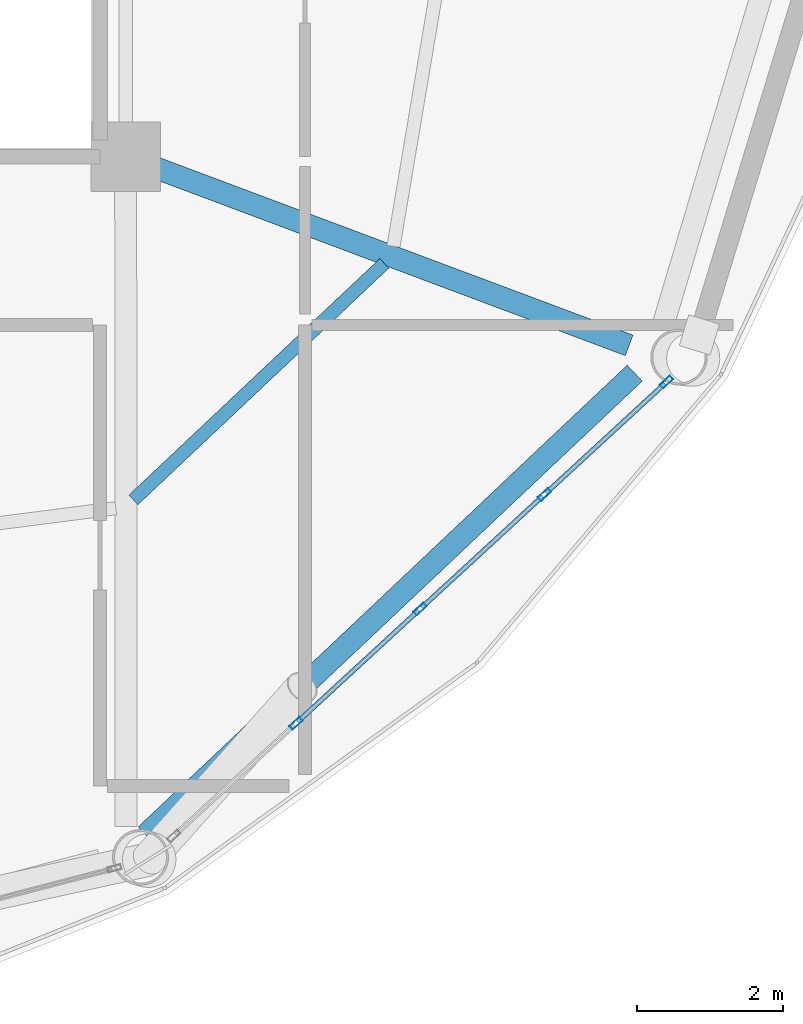
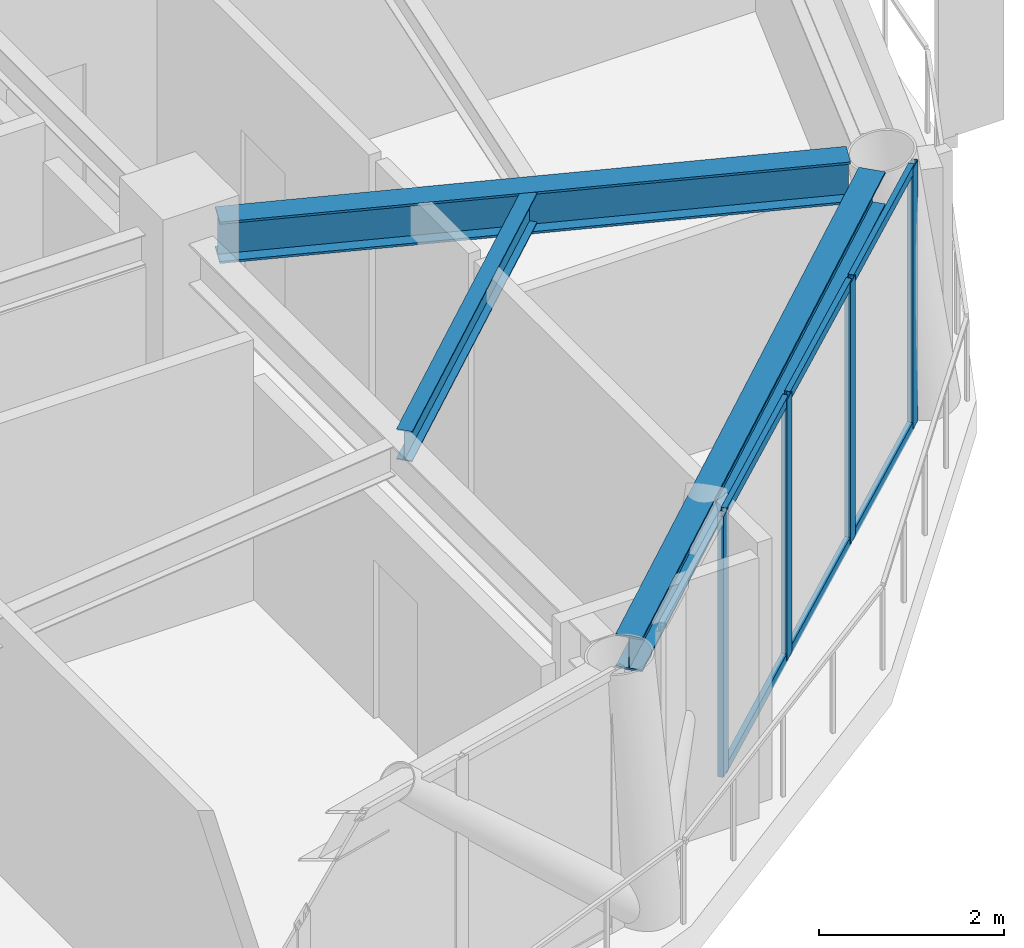
# One storey, part 14 of 26: 10 members, 3 beams, 1 element without a shape of its own.
"""IFC4 building model written with IfcOpenShell, lengths in metres."""

from ifc_helpers import new_model, si_unit, direction, frame, origin, origin_2d, place, context, subcontext, project, spatial, hollow_rectangle, i_section, extrude, material, layer, layer_set, material_profile, profile_set, type_object, element, aggregate, save


model = new_model("IFC4")

# Units and contexts
model_context = context("Model", 3, precision=1e-05, world=origin(), true_north=direction((0.0, 1.0)))
body_context = subcontext(model_context, "Body", "Model", "MODEL_VIEW")
ifc_project = project(units=[si_unit("LENGTHUNIT", "METRE"), si_unit("AREAUNIT", "SQUARE_METRE"), si_unit("VOLUMEUNIT", "CUBIC_METRE"), si_unit("PLANEANGLEUNIT", "RADIAN"), si_unit("MASSUNIT", "GRAM", prefix="KILO")], contexts=[model_context])

# Site, building, storey
site_placement = place(None, origin())
site = spatial("IfcSite", under=ifc_project, at=site_placement, CompositionType="ELEMENT")
building_placement = place(site_placement, origin())
building = spatial("IfcBuilding", under=site, at=building_placement, Name="Varnakorn Sky Granary", CompositionType="ELEMENT")
storey_placement = place(building_placement, frame((0.0, 0.0, 169.5)))
storey = spatial("IfcBuildingStorey", under=building, at=storey_placement, Name="L42", CompositionType="ELEMENT", Elevation=169.5)

# Beams
ifc_material_1 = material(Name="Steel S355JR", Category="steel")
ifc_material_profile_1 = material_profile(ifc_material_1, i_section(OverallWidth=0.300048828125, OverallDepth=0.550048828125, WebThickness=0.014892578125, FlangeThickness=0.029052734375, at=origin_2d()), Name="HE 550 B")
ifc_profile_set_1 = profile_set([ifc_material_profile_1], Name="Steel S355JR")
beam_type_1 = type_object("IfcBeamType", Name="BM-RAD-Z3", PredefinedType="BEAM", material=ifc_profile_set_1)
beam_1_placement = place(storey_placement, frame((8.743408203125, -6.747314453125, 3.175048828125), z_axis=(0.936385643177, -0.350972829791, 0.0), x_axis=(0.350972829791, 0.936385643177, 0.0)))
element("IfcBeam", 1, at=beam_1_placement, inside=storey, type_object=beam_type_1, Name="Radial Floor Girder RG12 L42", PredefinedType="BEAM", context=body_context, shape_type="SweptSolid", body=[
    extrude(i_section(OverallWidth=0.300048828125, OverallDepth=0.550048828125, WebThickness=0.014892578125, FlangeThickness=0.029052734375, at=origin_2d()), origin(), (0.0, 0.0, 1.0), 6.92822265625),
])
ifc_material_profile_2 = material_profile(ifc_material_1, i_section(OverallWidth=0.179931640625, OverallDepth=0.39990234375, WebThickness=0.008544921875, FlangeThickness=0.013427734375, at=origin_2d()), Name="IPE 400")
ifc_profile_set_2 = profile_set([ifc_material_profile_2], Name="Steel S355JR")
beam_type_2 = type_object("IfcBeamType", Name="BM-SEC-Z3", PredefinedType="BEAM", material=ifc_profile_set_2)
beam_2_placement = place(storey_placement, frame((8.45556640625, -11.29150390625, 3.25), z_axis=(0.727725323805, 0.685868685021, 0.0), x_axis=(-0.685868685021, 0.727725323805, 0.0)))
element("IfcBeam", 2, at=beam_2_placement, inside=storey, type_object=beam_type_2, Name="Secondary Floor Chord Beam MSB11 L42", PredefinedType="BEAM", context=body_context, shape_type="SweptSolid", body=[
    extrude(i_section(OverallWidth=0.179931640625, OverallDepth=0.39990234375, WebThickness=0.008544921875, FlangeThickness=0.013427734375, at=origin_2d()), origin(), (0.0, 0.0, 1.0), 4.712890625),
])
ifc_material_profile_3 = material_profile(ifc_material_1, i_section(OverallWidth=0.300048828125, OverallDepth=0.449951171875, WebThickness=0.013916015625, FlangeThickness=0.02587890625, at=origin_2d()), Name="HE 450 B")
ifc_profile_set_3 = profile_set([ifc_material_profile_3], Name="Steel S355JR")
beam_type_3 = type_object("IfcBeamType", Name="BM-SPD-Z3", PredefinedType="SPANDREL", material=ifc_profile_set_3)
beam_3_placement = place(storey_placement, frame((8.62353515625, -15.869873046875, 3.22509765625), z_axis=(0.727105947404, 0.686525266287, 0.0), x_axis=(-0.686525266287, 0.727105947404, 0.0)))
element("IfcBeam", 3, at=beam_3_placement, inside=storey, type_object=beam_type_3, Name="Perimeter Spandrel Ring Beam RB11 L42", PredefinedType="SPANDREL", context=body_context, shape_type="SweptSolid", body=[
    extrude(i_section(OverallWidth=0.300048828125, OverallDepth=0.449951171875, WebThickness=0.013916015625, FlangeThickness=0.02587890625, at=origin_2d()), origin(), (0.0, 0.0, 1.0), 9.192626953125),
])

# Curtain wall, members
ifc_material_2 = material(Name="Anodised Bronze Aluminium Alloy 6063-T6", Category="aluminium")
ifc_layer = layer(ifc_material_2, 0.179931640625, Name="Anodised Bronze Aluminium Alloy 6063-T6")
ifc_layer_set = layer_set([ifc_layer], Name="Anodised Bronze Aluminium Alloy 6063-T6")
curtain_wall_type = type_object("IfcCurtainWallType", Name="CW-FRM-2", PredefinedType="USERDEFINED", material=ifc_layer_set)
curtain_wall_placement = place(storey_placement, origin())
curtain_wall = element("IfcCurtainWall", 4, at=curtain_wall_placement, inside=storey, type_object=curtain_wall_type, Name="Unitised Curtain Wall CW4 CW-L42-B11", ObjectType="CURTAIN WALL", PredefinedType="USERDEFINED")
ifc_material_profile_4 = material_profile(ifc_material_2, hollow_rectangle(XDim=0.070068359375, YDim=0.18505859375, WallThickness=0.00390625, at=origin_2d()), Name="ALU MULL 70x185")
ifc_profile_set_4 = profile_set([ifc_material_profile_4], Name="Anodised Bronze Aluminium Alloy 6063-T6")
member_type_1 = type_object("IfcMemberType", Name="CW-FRM-2-MULL", PredefinedType="MULLION", material=ifc_profile_set_4)
member_1_placement = place(storey_placement, frame((15.7431640625, -9.679931640625, 0.0), z_axis=(0.0, 0.0, 1.0), x_axis=(0.677547955322, -0.735478598084, 0.0)))
member_1 = element("IfcMember", 5, at=member_1_placement, type_object=member_type_1, Name="CW4 mullion 1", PredefinedType="MULLION", context=body_context, shape_type="SweptSolid", body=[
    extrude(hollow_rectangle(XDim=0.070068359375, YDim=0.18505859375, WallThickness=0.00390625, at=origin_2d()), origin(), (0.0, 0.0, 1.0), 3.449951171875),
])
member_2_placement = place(storey_placement, frame((14.072265625, -11.219482421875, 0.0), z_axis=(0.0, 0.0, 1.0), x_axis=(0.677547955322, -0.735478598084, 0.0)))
member_2 = element("IfcMember", 6, at=member_2_placement, type_object=member_type_1, Name="CW4 mullion 2", PredefinedType="MULLION", context=body_context, shape_type="SweptSolid", body=[
    extrude(hollow_rectangle(XDim=0.070068359375, YDim=0.18505859375, WallThickness=0.00390625, at=origin_2d()), origin(), (0.0, 0.0, 1.0), 3.449951171875),
])
member_3_placement = place(storey_placement, frame((12.37548828125, -12.78271484375, 0.0), z_axis=(0.0, 0.0, 1.0), x_axis=(0.677547955322, -0.735478598084, 0.0)))
member_3 = element("IfcMember", 7, at=member_3_placement, type_object=member_type_1, Name="CW4 mullion 3", PredefinedType="MULLION", context=body_context, shape_type="SweptSolid", body=[
    extrude(hollow_rectangle(XDim=0.070068359375, YDim=0.18505859375, WallThickness=0.00390625, at=origin_2d()), origin(), (0.0, 0.0, 1.0), 3.449951171875),
])
member_4_placement = place(storey_placement, frame((10.6787109375, -14.345703125, 0.0), z_axis=(0.0, 0.0, 1.0), x_axis=(0.677547955322, -0.735478598084, 0.0)))
member_4 = element("IfcMember", 8, at=member_4_placement, type_object=member_type_1, Name="CW4 mullion 4", PredefinedType="MULLION", context=body_context, shape_type="SweptSolid", body=[
    extrude(hollow_rectangle(XDim=0.070068359375, YDim=0.18505859375, WallThickness=0.00390625, at=origin_2d()), origin(), (0.0, 0.0, 1.0), 3.449951171875),
])
ifc_material_profile_5 = material_profile(ifc_material_2, hollow_rectangle(XDim=0.06494140625, YDim=0.1201171875, WallThickness=0.00341796875, at=origin_2d()), Name="ALU TRAN 65x120")
ifc_profile_set_5 = profile_set([ifc_material_profile_5], Name="Anodised Bronze Aluminium Alloy 6063-T6")
member_type_2 = type_object("IfcMemberType", Name="CW-FRM-2-TRAN", PredefinedType="USERDEFINED", material=ifc_profile_set_5)
member_5_placement = place(storey_placement, frame((15.717529296875, -9.70361328125, 0.032470703125), z_axis=(-0.735449148752, -0.67757992119, 0.0), x_axis=(0.67757992119, -0.735449148752, 0.0)))
member_5 = element("IfcMember", 9, at=member_5_placement, type_object=member_type_2, Name="CW4 transom 1.1", ObjectType="TRANSOM", PredefinedType="USERDEFINED", context=body_context, shape_type="SweptSolid", body=[
    extrude(hollow_rectangle(XDim=0.06494140625, YDim=0.1201171875, WallThickness=0.00341796875, at=origin_2d()), origin(), (0.0, 0.0, 1.0), 2.2021484375),
])
member_6_placement = place(storey_placement, frame((15.717529296875, -9.70361328125, 3.41748046875), z_axis=(-0.735449148752, -0.67757992119, 0.0), x_axis=(0.67757992119, -0.735449148752, 0.0)))
member_6 = element("IfcMember", 10, at=member_6_placement, type_object=member_type_2, Name="CW4 transom 1.2", ObjectType="TRANSOM", PredefinedType="USERDEFINED", context=body_context, shape_type="SweptSolid", body=[
    extrude(hollow_rectangle(XDim=0.06494140625, YDim=0.1201171875, WallThickness=0.00341796875, at=origin_2d()), origin(), (0.0, 0.0, 1.0), 2.2021484375),
])
member_7_placement = place(storey_placement, frame((14.04638671875, -11.2431640625, 0.032470703125), z_axis=(-0.735489285858, -0.677536353555, 0.0), x_axis=(0.677536353555, -0.735489285858, 0.0)))
member_7 = element("IfcMember", 11, at=member_7_placement, type_object=member_type_2, Name="CW4 transom 2.1", ObjectType="TRANSOM", PredefinedType="USERDEFINED", context=body_context, shape_type="SweptSolid", body=[
    extrude(hollow_rectangle(XDim=0.06494140625, YDim=0.1201171875, WallThickness=0.00341796875, at=origin_2d()), origin(), (0.0, 0.0, 1.0), 2.237060546875),
])
member_8_placement = place(storey_placement, frame((14.04638671875, -11.2431640625, 3.41748046875), z_axis=(-0.735489285858, -0.677536353555, 0.0), x_axis=(0.677536353555, -0.735489285858, 0.0)))
member_8 = element("IfcMember", 12, at=member_8_placement, type_object=member_type_2, Name="CW4 transom 2.2", ObjectType="TRANSOM", PredefinedType="USERDEFINED", context=body_context, shape_type="SweptSolid", body=[
    extrude(hollow_rectangle(XDim=0.06494140625, YDim=0.1201171875, WallThickness=0.00341796875, at=origin_2d()), origin(), (0.0, 0.0, 1.0), 2.237060546875),
])
member_9_placement = place(storey_placement, frame((12.349609375, -12.806396484375, 0.032470703125), z_axis=(-0.735489285858, -0.677536353555, 0.0), x_axis=(0.677536353555, -0.735489285858, 0.0)))
member_9 = element("IfcMember", 13, at=member_9_placement, type_object=member_type_2, Name="CW4 transom 3.1", ObjectType="TRANSOM", PredefinedType="USERDEFINED", context=body_context, shape_type="SweptSolid", body=[
    extrude(hollow_rectangle(XDim=0.06494140625, YDim=0.1201171875, WallThickness=0.00341796875, at=origin_2d()), origin(), (0.0, 0.0, 1.0), 2.237060546875),
])
member_10_placement = place(storey_placement, frame((12.349609375, -12.806396484375, 3.41748046875), z_axis=(-0.735489285858, -0.677536353555, 0.0), x_axis=(0.677536353555, -0.735489285858, 0.0)))
member_10 = element("IfcMember", 14, at=member_10_placement, type_object=member_type_2, Name="CW4 transom 3.2", ObjectType="TRANSOM", PredefinedType="USERDEFINED", context=body_context, shape_type="SweptSolid", body=[
    extrude(hollow_rectangle(XDim=0.06494140625, YDim=0.1201171875, WallThickness=0.00341796875, at=origin_2d()), origin(), (0.0, 0.0, 1.0), 2.237060546875),
])
aggregate(curtain_wall, [member_1, member_2, member_3, member_4, member_5, member_6, member_7, member_8, member_9, member_10])

save(model, "model.ifc")
